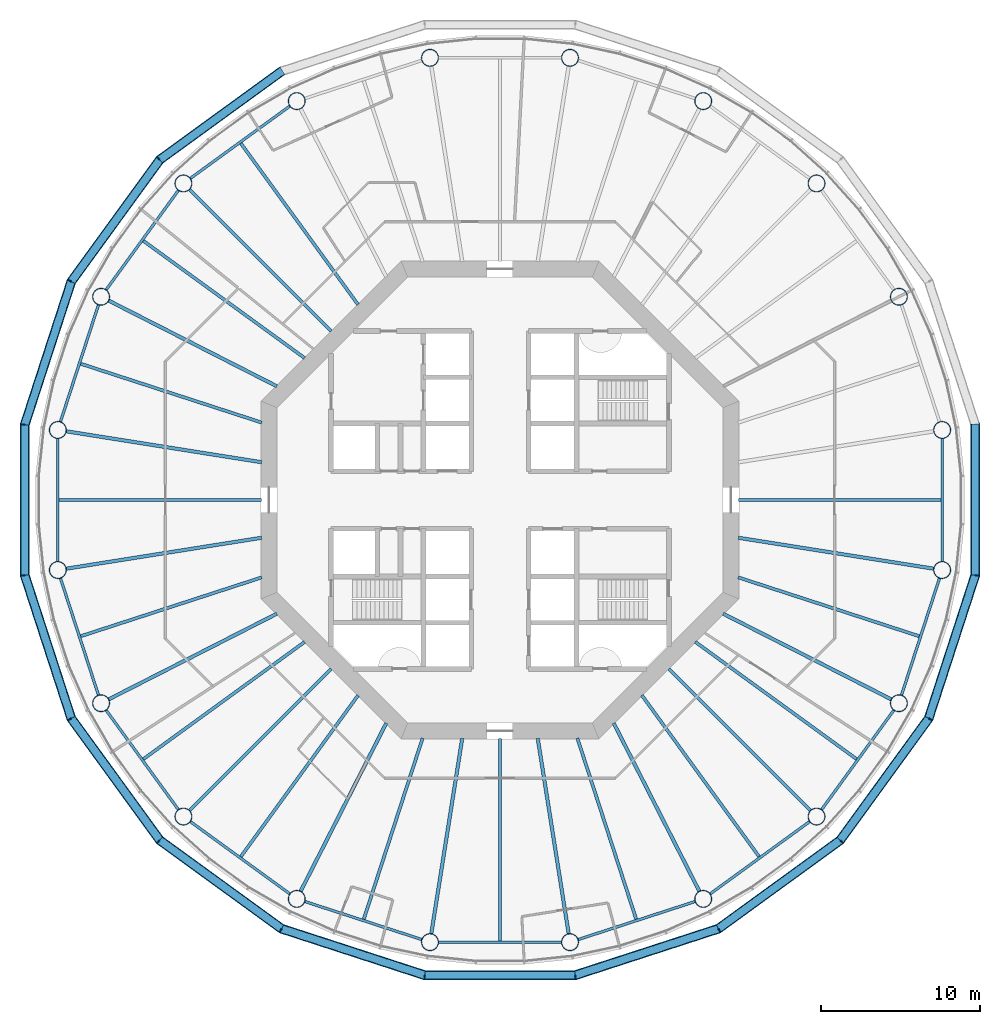
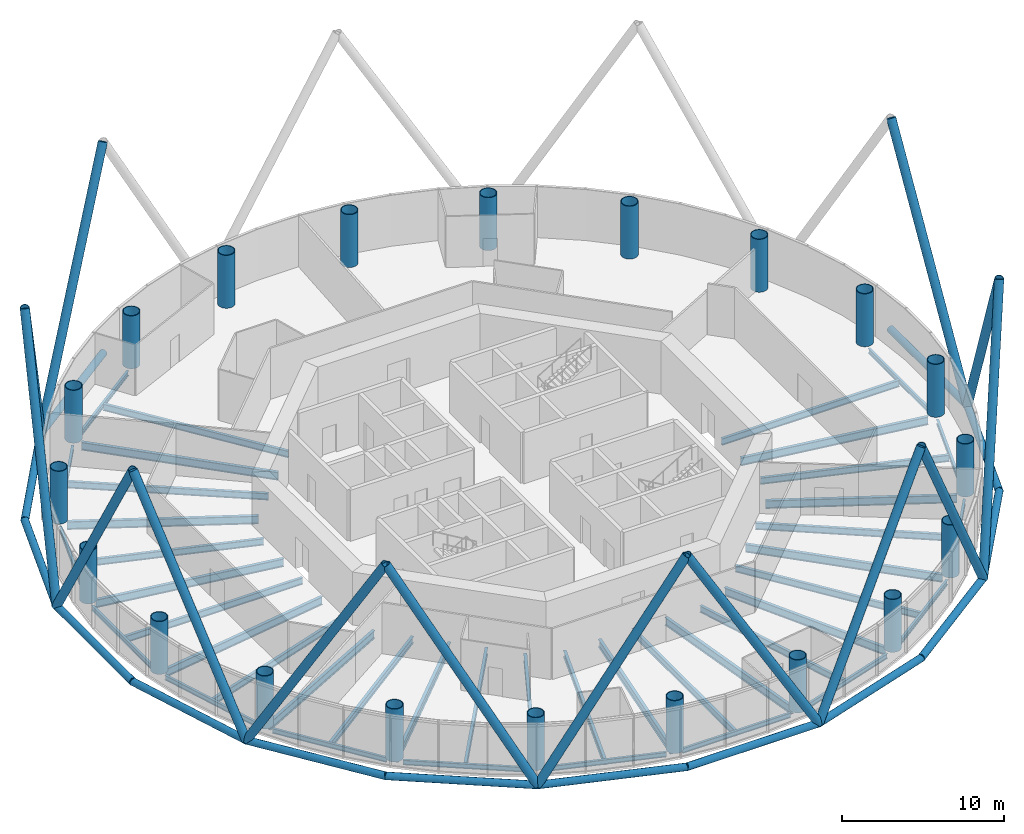
# One storey, part 1 of 13: 41 beams, 28 members, 20 columns.
"""IFC4 building model written with IfcOpenShell, lengths in metres."""

from ifc_helpers import new_model, si_unit, direction, frame, origin, origin_2d, place, context, subcontext, project, spatial, circle, hollow_circle, i_section, extrude, material, material_profile, profile_set, type_object, element, save


model = new_model("IFC4")

# Units and contexts
model_context = context("Model", 3, precision=1e-05, world=origin(), true_north=direction((0.0, 1.0)))
body_context = subcontext(model_context, "Body", "Model", "MODEL_VIEW")
ifc_project = project(units=[si_unit("LENGTHUNIT", "METRE"), si_unit("AREAUNIT", "SQUARE_METRE"), si_unit("VOLUMEUNIT", "CUBIC_METRE"), si_unit("PLANEANGLEUNIT", "RADIAN"), si_unit("MASSUNIT", "GRAM", prefix="KILO")], contexts=[model_context])

# Site, building, storey
site_placement = place(None, origin())
site = spatial("IfcSite", under=ifc_project, at=site_placement, CompositionType="ELEMENT")
building_placement = place(site_placement, origin())
building = spatial("IfcBuilding", under=site, at=building_placement, Name="Entoto Ring Tower", CompositionType="ELEMENT")
storey_placement = place(building_placement, frame((0.0, 0.0, 164.0)))
storey = spatial("IfcBuildingStorey", under=building, at=storey_placement, Name="L37", CompositionType="ELEMENT", Elevation=164.0)

# Columns
ifc_material_1 = material(Name="Steel S355", Category="steel")
ifc_material_profile_1 = material_profile(ifc_material_1, hollow_circle(Radius=0.550048828125, WallThickness=0.050048828125, at=origin_2d()), Name="CHS 1100 x 50")
ifc_material_2 = material(Name="Concrete C60/75", Category="concrete")
ifc_material_profile_2 = material_profile(ifc_material_2, circle(Radius=0.5, at=origin_2d()), Name="Concrete C60/75 infill")
ifc_profile_set_1 = profile_set([ifc_material_profile_1, ifc_material_profile_2], Name="Steel S355")
column_type = type_object("IfcColumnType", Name="Ring column 1100 x 50 concrete-filled tube", PredefinedType="COLUMN", material=ifc_profile_set_1)
for number, where, z_axis, x_axis, name in (
    (1, (117.754150390625, 84.395751953125, 0.0), (0.0, 0.0, 1.0), (1.0, 0.0, 0.0), "RC3 R01"),
    (2, (115.037353515625, 92.757080078125, 0.0), (0.0, 0.0, 1.0), (1.0, 0.0, 0.0), "RC3 R02"),
    (3, (109.86962890625, 99.86962890625, 0.0), (0.0, 0.0, 1.0), (1.0, 0.0, 0.0), "RC3 R03"),
    (4, (102.757080078125, 105.037353515625, 0.0), (0.0, 0.0, 1.0), (1.0, 0.0, 0.0), "RC3 R04"),
    (5, (94.395751953125, 107.754150390625, 0.0), (0.0, 0.0, 1.0), (1.0, 0.0, 0.0), "RC3 R05"),
    (6, (85.604248046875, 107.754150390625, 0.0), (0.0, 0.0, 1.0), (1.0, 0.0, 0.0), "RC3 R06"),
    (7, (77.242919921875, 105.037353515625, 0.0), (0.0, 0.0, 1.0), (1.0, 0.0, 0.0), "RC3 R07"),
    (8, (70.13037109375, 99.86962890625, 0.0), (0.0, 0.0, 1.0), (1.0, 0.0, 0.0), "RC3 R08"),
    (9, (64.962646484375, 92.757080078125, 0.0), (0.0, 0.0, 1.0), (1.0, 0.0, 0.0), "RC3 R09"),
    (10, (62.245849609375, 84.395751953125, 0.0), (0.0, 0.0, 1.0), (1.0, 0.0, 0.0), "RC3 R10"),
    (11, (62.245849609375, 75.604248046875, 0.0), (0.0, 0.0, 1.0), (1.0, 0.0, 0.0), "RC3 R11"),
    (12, (64.962646484375, 67.242919921875, 0.0), (0.0, 0.0, 1.0), (1.0, 0.0, 0.0), "RC3 R12"),
    (13, (70.13037109375, 60.13037109375, 0.0), (0.0, 0.0, 1.0), (1.0, 0.0, 0.0), "RC3 R13"),
    (14, (77.242919921875, 54.962646484375, 0.0), (0.0, 0.0, 1.0), (1.0, 0.0, 0.0), "RC3 R14"),
    (15, (85.604248046875, 52.245849609375, 0.0), (0.0, 0.0, 1.0), (1.0, 0.0, 0.0), "RC3 R15"),
    (16, (94.395751953125, 52.245849609375, 0.0), (0.0, 0.0, 1.0), (1.0, 0.0, 0.0), "RC3 R16"),
    (17, (102.757080078125, 54.962646484375, 0.0), (0.0, 0.0, 1.0), (1.0, 0.0, 0.0), "RC3 R17"),
    (18, (109.86962890625, 60.13037109375, 0.0), (0.0, 0.0, 1.0), (1.0, 0.0, 0.0), "RC3 R18"),
    (19, (115.037353515625, 67.242919921875, 0.0), (0.0, 0.0, 1.0), (1.0, 0.0, 0.0), "RC3 R19"),
    (20, (117.754150390625, 75.604248046875, 0.0), (0.0, 0.0, 1.0), (1.0, 0.0, 0.0), "RC3 R20"),
):
    element("IfcColumn", number, at=place(storey_placement, frame(where, z_axis=z_axis, x_axis=x_axis)), inside=storey, type_object=column_type, Name=name, PredefinedType="COLUMN", context=body_context, shape_type="SweptSolid", body=[
        extrude(hollow_circle(Radius=0.550048828125, WallThickness=0.050048828125, at=origin_2d()), origin(), (0.0, 0.0, 1.0), 4.0),
    ])

# Members
ifc_material_3 = material(Name="Steel S355", Category="steel")
ifc_material_profile_3 = material_profile(ifc_material_3, hollow_circle(Radius=0.300048828125, WallThickness=0.030029296875, at=origin_2d()), Name="CHS 600 x 30")
ifc_material_4 = material(Name="Concrete C60/75", Category="concrete")
ifc_material_profile_4 = material_profile(ifc_material_4, circle(Radius=0.27001953125, at=origin_2d()), Name="Concrete C60/75 infill")
ifc_profile_set_2 = profile_set([ifc_material_profile_3, ifc_material_profile_4], Name="Steel S355")
member_type_1 = type_object("IfcMemberType", Name="Diagrid diagonal 600 x 30 concrete-filled tube", PredefinedType="BRACE", material=ifc_profile_set_2)
for number, where, z_axis, x_axis, name in (
    (21, (68.645263671875, 101.354736328125, 0.0), (0.41138837397, 0.298880991698, 0.861063155967), (-0.587772178061, 0.809026493198, 0.0), "DG4 module 12 07"),
    (22, (68.645263671875, 101.354736328125, 0.0), (-0.298880991698, -0.41138837397, 0.861063155967), (0.809026493198, -0.587772178061, 0.0), "DG4 module 12 08"),
):
    element("IfcMember", number, at=place(storey_placement, frame(where, z_axis=z_axis, x_axis=x_axis)), inside=storey, type_object=member_type_1, Name=name, PredefinedType="BRACE", context=body_context, shape_type="SweptSolid", body=[
        extrude(hollow_circle(Radius=0.300048828125, WallThickness=0.030029296875, at=origin_2d()), origin(), (0.0, 0.0, 1.0), 18.581787109375),
    ])
member_1_placement = place(storey_placement, frame((60.171875, 84.724365234375, 0.0), z_axis=(0.157127731074, 0.483602341134, 0.861068900714), x_axis=(-0.951058940693, 0.309009532745, 0.0)))
element("IfcMember", 23, at=member_1_placement, inside=storey, type_object=member_type_1, Name="DG4 module 12 09", PredefinedType="BRACE", context=body_context, shape_type="SweptSolid", body=[
    extrude(hollow_circle(Radius=0.300048828125, WallThickness=0.030029296875, at=origin_2d()), origin(), (0.0, 0.0, 1.0), 18.58154296875),
])
member_2_placement = place(storey_placement, frame((60.171875, 84.724365234375, 0.0), z_axis=(0.0, -0.508497342761, 0.861063558865), x_axis=(1.0, 0.0, 0.0)))
element("IfcMember", 24, at=member_2_placement, inside=storey, type_object=member_type_1, Name="DG4 module 12 10", PredefinedType="BRACE", context=body_context, shape_type="SweptSolid", body=[
    extrude(hollow_circle(Radius=0.300048828125, WallThickness=0.030029296875, at=origin_2d()), origin(), (0.0, 0.0, 1.0), 18.581787109375),
])
member_3_placement = place(storey_placement, frame((63.091552734375, 66.28955078125, 0.0), z_axis=(-0.157127731074, 0.483602341134, 0.861068900714), x_axis=(-0.951058940693, -0.309009532745, 0.0)))
element("IfcMember", 25, at=member_3_placement, inside=storey, type_object=member_type_1, Name="DG4 module 12 11", PredefinedType="BRACE", context=body_context, shape_type="SweptSolid", body=[
    extrude(hollow_circle(Radius=0.300048828125, WallThickness=0.030029296875, at=origin_2d()), origin(), (0.0, 0.0, 1.0), 18.58154296875),
])
for number, where, z_axis, x_axis, name in (
    (26, (63.091552734375, 66.28955078125, 0.0), (0.298880991698, -0.41138837397, 0.861063155967), (0.809026493198, 0.587772178061, 0.0), "DG4 module 12 12"),
    (27, (76.28955078125, 53.091552734375, 0.0), (-0.41138837397, 0.298880991698, 0.861063155967), (-0.587772178061, -0.809026493198, 0.0), "DG4 module 12 13"),
):
    element("IfcMember", number, at=place(storey_placement, frame(where, z_axis=z_axis, x_axis=x_axis)), inside=storey, type_object=member_type_1, Name=name, PredefinedType="BRACE", context=body_context, shape_type="SweptSolid", body=[
        extrude(hollow_circle(Radius=0.300048828125, WallThickness=0.030029296875, at=origin_2d()), origin(), (0.0, 0.0, 1.0), 18.581787109375),
    ])
member_4_placement = place(storey_placement, frame((76.28955078125, 53.091552734375, 0.0), z_axis=(0.483602341134, -0.157127731074, 0.861068900714), x_axis=(0.309009532745, 0.951058940693, 0.0)))
element("IfcMember", 28, at=member_4_placement, inside=storey, type_object=member_type_1, Name="DG4 module 12 14", PredefinedType="BRACE", context=body_context, shape_type="SweptSolid", body=[
    extrude(hollow_circle(Radius=0.300048828125, WallThickness=0.030029296875, at=origin_2d()), origin(), (0.0, 0.0, 1.0), 18.58154296875),
])
member_5_placement = place(storey_placement, frame((94.724365234375, 50.171875, 0.0), z_axis=(-0.508497342761, 0.0, 0.861063558865), x_axis=(0.0, -1.0, 0.0)))
element("IfcMember", 29, at=member_5_placement, inside=storey, type_object=member_type_1, Name="DG4 module 12 15", PredefinedType="BRACE", context=body_context, shape_type="SweptSolid", body=[
    extrude(hollow_circle(Radius=0.300048828125, WallThickness=0.030029296875, at=origin_2d()), origin(), (0.0, 0.0, 1.0), 18.581787109375),
])
member_6_placement = place(storey_placement, frame((94.724365234375, 50.171875, 0.0), z_axis=(0.483602341134, 0.157127731074, 0.861068900714), x_axis=(-0.309009532745, 0.951058940693, 0.0)))
element("IfcMember", 30, at=member_6_placement, inside=storey, type_object=member_type_1, Name="DG4 module 12 16", PredefinedType="BRACE", context=body_context, shape_type="SweptSolid", body=[
    extrude(hollow_circle(Radius=0.300048828125, WallThickness=0.030029296875, at=origin_2d()), origin(), (0.0, 0.0, 1.0), 18.58154296875),
])
for number, where, z_axis, x_axis, name in (
    (31, (111.354736328125, 58.645263671875, 0.0), (-0.41138837397, -0.298880991698, 0.861063155967), (0.587772178061, -0.809026493198, 0.0), "DG4 module 12 17"),
    (32, (111.354736328125, 58.645263671875, 0.0), (0.298880991698, 0.41138837397, 0.861063155967), (-0.809026493198, 0.587772178061, 0.0), "DG4 module 12 18"),
):
    element("IfcMember", number, at=place(storey_placement, frame(where, z_axis=z_axis, x_axis=x_axis)), inside=storey, type_object=member_type_1, Name=name, PredefinedType="BRACE", context=body_context, shape_type="SweptSolid", body=[
        extrude(hollow_circle(Radius=0.300048828125, WallThickness=0.030029296875, at=origin_2d()), origin(), (0.0, 0.0, 1.0), 18.581787109375),
    ])
member_7_placement = place(storey_placement, frame((119.828125, 75.275634765625, 0.0), z_axis=(-0.157127731074, -0.483602341134, 0.861068900714), x_axis=(0.951058940693, -0.309009532745, 0.0)))
element("IfcMember", 33, at=member_7_placement, inside=storey, type_object=member_type_1, Name="DG4 module 12 19", PredefinedType="BRACE", context=body_context, shape_type="SweptSolid", body=[
    extrude(hollow_circle(Radius=0.300048828125, WallThickness=0.030029296875, at=origin_2d()), origin(), (0.0, 0.0, 1.0), 18.58154296875),
])
member_8_placement = place(storey_placement, frame((119.828125, 75.275634765625, 0.0), z_axis=(0.0, 0.508497342761, 0.861063558865), x_axis=(-1.0, 0.0, 0.0)))
element("IfcMember", 34, at=member_8_placement, inside=storey, type_object=member_type_1, Name="DG4 module 12 20", PredefinedType="BRACE", context=body_context, shape_type="SweptSolid", body=[
    extrude(hollow_circle(Radius=0.300048828125, WallThickness=0.030029296875, at=origin_2d()), origin(), (0.0, 0.0, 1.0), 18.581787109375),
])
ifc_material_5 = material(Name="Steel S355", Category="steel")
ifc_material_profile_5 = material_profile(ifc_material_5, hollow_circle(Radius=0.25390625, WallThickness=0.030029296875, at=origin_2d()), Name="CHS 508 x 30")
ifc_material_6 = material(Name="Concrete C60/75", Category="concrete")
ifc_material_profile_6 = material_profile(ifc_material_6, circle(Radius=0.22412109375, at=origin_2d()), Name="Concrete C60/75 infill")
ifc_profile_set_3 = profile_set([ifc_material_profile_5, ifc_material_profile_6], Name="Steel S355")
member_type_2 = type_object("IfcMemberType", Name="Diagrid ring beam 508 x 30", PredefinedType="CHORD", material=ifc_profile_set_3)
for number, where, z_axis, x_axis, name in (
    (35, (76.338134765625, 106.94384765625, 0.0), (-0.809016230274, -0.587786303985, 0.0), (0.587786303985, -0.809016230274, 0.0), "DR2 ring 11 06"),
    (36, (68.6806640625, 101.4033203125, 0.0), (-0.587786303985, -0.809016230274, 0.0), (0.809016230274, -0.587786303985, 0.0), "DR2 ring 11 07"),
    (37, (63.110107421875, 93.767822265625, 0.0), (-0.308993189852, -0.951064250524, 0.0), (0.951064250524, -0.308993189852, 0.0), "DR2 ring 11 08"),
):
    element("IfcMember", number, at=place(storey_placement, frame(where, z_axis=z_axis, x_axis=x_axis)), inside=storey, type_object=member_type_2, Name=name, PredefinedType="CHORD", context=body_context, shape_type="SweptSolid", body=[
        extrude(hollow_circle(Radius=0.25390625, WallThickness=0.030029296875, at=origin_2d()), origin(), (0.0, 0.0, 1.0), 9.569091796875),
    ])
member_9_placement = place(storey_placement, frame((60.171875, 84.78466796875, 0.0), z_axis=(0.0, -1.0, 0.0), x_axis=(1.0, 0.0, 0.0)))
element("IfcMember", 38, at=member_9_placement, inside=storey, type_object=member_type_2, Name="DR2 ring 11 09", PredefinedType="CHORD", context=body_context, shape_type="SweptSolid", body=[
    extrude(hollow_circle(Radius=0.25390625, WallThickness=0.030029296875, at=origin_2d()), origin(), (0.0, 0.0, 1.0), 9.5693359375),
])
for number, where, z_axis, x_axis, name in (
    (39, (60.1533203125, 75.3330078125, 0.0), (0.308993189852, -0.951064250524, 0.0), (0.951064250524, 0.308993189852, 0.0), "DR2 ring 11 10"),
    (40, (63.05615234375, 66.338134765625, 0.0), (0.587786303985, -0.809016230274, 0.0), (0.809016230274, 0.587786303985, 0.0), "DR2 ring 11 11"),
    (41, (68.5966796875, 58.6806640625, 0.0), (0.809016230274, -0.587786303985, 0.0), (0.587786303985, 0.809016230274, 0.0), "DR2 ring 11 12"),
    (42, (76.232177734375, 53.110107421875, 0.0), (0.951064250524, -0.308993189852, 0.0), (0.308993189852, 0.951064250524, 0.0), "DR2 ring 11 13"),
):
    element("IfcMember", number, at=place(storey_placement, frame(where, z_axis=z_axis, x_axis=x_axis)), inside=storey, type_object=member_type_2, Name=name, PredefinedType="CHORD", context=body_context, shape_type="SweptSolid", body=[
        extrude(hollow_circle(Radius=0.25390625, WallThickness=0.030029296875, at=origin_2d()), origin(), (0.0, 0.0, 1.0), 9.569091796875),
    ])
member_10_placement = place(storey_placement, frame((85.21533203125, 50.171875, 0.0), z_axis=(1.0, 0.0, 0.0), x_axis=(0.0, 1.0, 0.0)))
element("IfcMember", 43, at=member_10_placement, inside=storey, type_object=member_type_2, Name="DR2 ring 11 14", PredefinedType="CHORD", context=body_context, shape_type="SweptSolid", body=[
    extrude(hollow_circle(Radius=0.25390625, WallThickness=0.030029296875, at=origin_2d()), origin(), (0.0, 0.0, 1.0), 9.5693359375),
])
for number, where, z_axis, x_axis, name in (
    (44, (94.6669921875, 50.1533203125, 0.0), (0.951064250524, 0.308993189852, 0.0), (-0.308993189852, 0.951064250524, 0.0), "DR2 ring 11 15"),
    (45, (103.661865234375, 53.05615234375, 0.0), (0.809016230274, 0.587786303985, 0.0), (-0.587786303985, 0.809016230274, 0.0), "DR2 ring 11 16"),
    (46, (111.3193359375, 58.5966796875, 0.0), (0.587786303985, 0.809016230274, 0.0), (-0.809016230274, 0.587786303985, 0.0), "DR2 ring 11 17"),
    (47, (116.889892578125, 66.232177734375, 0.0), (0.308993189852, 0.951064250524, 0.0), (-0.951064250524, 0.308993189852, 0.0), "DR2 ring 11 18"),
):
    element("IfcMember", number, at=place(storey_placement, frame(where, z_axis=z_axis, x_axis=x_axis)), inside=storey, type_object=member_type_2, Name=name, PredefinedType="CHORD", context=body_context, shape_type="SweptSolid", body=[
        extrude(hollow_circle(Radius=0.25390625, WallThickness=0.030029296875, at=origin_2d()), origin(), (0.0, 0.0, 1.0), 9.569091796875),
    ])
member_11_placement = place(storey_placement, frame((119.828125, 75.21533203125, 0.0), z_axis=(0.0, 1.0, 0.0), x_axis=(-1.0, 0.0, 0.0)))
element("IfcMember", 48, at=member_11_placement, inside=storey, type_object=member_type_2, Name="DR2 ring 11 19", PredefinedType="CHORD", context=body_context, shape_type="SweptSolid", body=[
    extrude(hollow_circle(Radius=0.25390625, WallThickness=0.030029296875, at=origin_2d()), origin(), (0.0, 0.0, 1.0), 9.5693359375),
])

# Beams
ifc_material_7 = material(Name="Steel S355", Category="steel")
ifc_material_profile_7 = material_profile(ifc_material_7, i_section(OverallWidth=0.169921875, OverallDepth=0.360107421875, WebThickness=0.008056640625, FlangeThickness=0.0126953125, FilletRadius=0.01806640625, at=origin_2d()), Name="IPE 360")
ifc_profile_set_4 = profile_set([ifc_material_profile_7], Name="Steel S355")
beam_type_1 = type_object("IfcBeamType", Name="Edge beam IPE 360", PredefinedType="SPANDREL", material=ifc_profile_set_4)
for number, where, z_axis, x_axis, name in (
    (49, (76.819580078125, 104.729736328125, -0.330078125), (-0.809012707043, -0.587791153253, 0.0), (0.587791153253, -0.809012707043, 0.0), "Edge beam L37 07"),
    (50, (69.82275390625, 99.4462890625, -0.330078125), (-0.587791153253, -0.809012707043, 0.0), (0.809012707043, -0.587791153253, 0.0), "Edge beam L37 08"),
    (51, (64.801025390625, 92.259521484375, -0.330078125), (-0.309012656105, -0.951057925874, 0.0), (0.951057925874, -0.309012656105, 0.0), "Edge beam L37 09"),
    (52, (62.245849609375, 83.87255859375, -0.330078125), (0.0, -1.0, 0.0), (1.0, 0.0, 0.0), "Edge beam L37 10"),
    (53, (62.40771484375, 75.1064453125, -0.330078125), (0.309012656105, -0.951057925874, 0.0), (0.951057925874, 0.309012656105, 0.0), "Edge beam L37 11"),
    (54, (65.270263671875, 66.819580078125, -0.330078125), (0.587791153253, -0.809012707043, 0.0), (0.809012707043, 0.587791153253, 0.0), "Edge beam L37 12"),
    (55, (70.5537109375, 59.82275390625, -0.330078125), (0.809012707043, -0.587791153253, 0.0), (0.587791153253, 0.809012707043, 0.0), "Edge beam L37 13"),
    (56, (77.740478515625, 54.801025390625, -0.330078125), (0.951057925874, -0.309012656105, 0.0), (0.309012656105, 0.951057925874, 0.0), "Edge beam L37 14"),
    (57, (86.12744140625, 52.245849609375, -0.330078125), (1.0, 0.0, 0.0), (0.0, 1.0, 0.0), "Edge beam L37 15"),
    (58, (94.8935546875, 52.40771484375, -0.330078125), (0.951057925874, 0.309012656105, 0.0), (-0.309012656105, 0.951057925874, 0.0), "Edge beam L37 16"),
    (59, (103.180419921875, 55.270263671875, -0.330078125), (0.809012707043, 0.587791153253, 0.0), (-0.587791153253, 0.809012707043, 0.0), "Edge beam L37 17"),
    (60, (110.17724609375, 60.5537109375, -0.330078125), (0.587791153253, 0.809012707043, 0.0), (-0.809012707043, 0.587791153253, 0.0), "Edge beam L37 18"),
    (61, (115.198974609375, 67.740478515625, -0.330078125), (0.309012656105, 0.951057925874, 0.0), (-0.951057925874, 0.309012656105, 0.0), "Edge beam L37 19"),
    (62, (117.754150390625, 76.12744140625, -0.330078125), (0.0, 1.0, 0.0), (-1.0, 0.0, 0.0), "Edge beam L37 20"),
):
    element("IfcBeam", number, at=place(storey_placement, frame(where, z_axis=z_axis, x_axis=x_axis)), inside=storey, type_object=beam_type_1, Name=name, PredefinedType="SPANDREL", context=body_context, shape_type="SweptSolid", body=[
        extrude(i_section(OverallWidth=0.169921875, OverallDepth=0.360107421875, WebThickness=0.008056640625, FlangeThickness=0.0126953125, FilletRadius=0.01806640625, at=origin_2d()), origin(), (0.0, 0.0, 1.0), 7.7451171875),
    ])
ifc_material_8 = material(Name="Steel S355", Category="steel")
ifc_material_profile_8 = material_profile(ifc_material_8, i_section(OverallWidth=0.219970703125, OverallDepth=0.60009765625, WebThickness=0.011962890625, FlangeThickness=0.01904296875, FilletRadius=0.02392578125, at=origin_2d()), Name="IPE 600")
ifc_profile_set_5 = profile_set([ifc_material_profile_8], Name="Steel S355")
beam_type_2 = type_object("IfcBeamType", Name="Primary floor beam IPE 600", PredefinedType="BEAM", material=ifc_profile_set_5)
beam_1_placement = place(storey_placement, frame((79.407470703125, 90.592529296875, -0.449951171875), z_axis=(-0.707106781187, 0.707106781187, 0.0), x_axis=(-0.707106781187, -0.707106781187, 0.0)))
element("IfcBeam", 63, at=beam_1_placement, inside=storey, type_object=beam_type_2, Name="Primary L37 R08", PredefinedType="BEAM", context=body_context, shape_type="SweptSolid", body=[
    extrude(i_section(OverallWidth=0.219970703125, OverallDepth=0.60009765625, WebThickness=0.011962890625, FlangeThickness=0.01904296875, FilletRadius=0.02392578125, at=origin_2d()), origin(), (0.0, 0.0, 1.0), 12.601318359375),
])
beam_2_placement = place(storey_placement, frame((75.996826171875, 87.135009765625, -0.449951171875), z_axis=(-0.891010444609, 0.453982805399, 0.0), x_axis=(-0.453982805399, -0.891010444609, 0.0)))
element("IfcBeam", 64, at=beam_2_placement, inside=storey, type_object=beam_type_2, Name="Primary L37 R09", PredefinedType="BEAM", context=body_context, shape_type="SweptSolid", body=[
    extrude(i_section(OverallWidth=0.219970703125, OverallDepth=0.60009765625, WebThickness=0.011962890625, FlangeThickness=0.01904296875, FilletRadius=0.02392578125, at=origin_2d()), origin(), (0.0, 0.0, 1.0), 11.864990234375),
])
for number, where, z_axis, x_axis, name in (
    (65, (75.036865234375, 82.369873046875, -0.449951171875), (-0.987687213789, 0.156441579247, 0.0), (-0.156441579247, -0.987687213789, 0.0), "Primary L37 R10"),
    (66, (75.036865234375, 77.630126953125, -0.449951171875), (-0.987687213789, -0.156441579247, 0.0), (0.156441579247, -0.987687213789, 0.0), "Primary L37 R11"),
):
    element("IfcBeam", number, at=place(storey_placement, frame(where, z_axis=z_axis, x_axis=x_axis)), inside=storey, type_object=beam_type_2, Name=name, PredefinedType="BEAM", context=body_context, shape_type="SweptSolid", body=[
        extrude(i_section(OverallWidth=0.219970703125, OverallDepth=0.60009765625, WebThickness=0.011962890625, FlangeThickness=0.01904296875, FilletRadius=0.02392578125, at=origin_2d()), origin(), (0.0, 0.0, 1.0), 12.431640625),
    ])
beam_3_placement = place(storey_placement, frame((75.996826171875, 72.864990234375, -0.449951171875), z_axis=(-0.891010444609, -0.453982805399, 0.0), x_axis=(0.453982805399, -0.891010444609, 0.0)))
element("IfcBeam", 67, at=beam_3_placement, inside=storey, type_object=beam_type_2, Name="Primary L37 R12", PredefinedType="BEAM", context=body_context, shape_type="SweptSolid", body=[
    extrude(i_section(OverallWidth=0.219970703125, OverallDepth=0.60009765625, WebThickness=0.011962890625, FlangeThickness=0.01904296875, FilletRadius=0.02392578125, at=origin_2d()), origin(), (0.0, 0.0, 1.0), 11.864990234375),
])
beam_4_placement = place(storey_placement, frame((79.407470703125, 69.407470703125, -0.449951171875), z_axis=(-0.707106781187, -0.707106781187, 0.0), x_axis=(0.707106781187, -0.707106781187, 0.0)))
element("IfcBeam", 68, at=beam_4_placement, inside=storey, type_object=beam_type_2, Name="Primary L37 R13", PredefinedType="BEAM", context=body_context, shape_type="SweptSolid", body=[
    extrude(i_section(OverallWidth=0.219970703125, OverallDepth=0.60009765625, WebThickness=0.011962890625, FlangeThickness=0.01904296875, FilletRadius=0.02392578125, at=origin_2d()), origin(), (0.0, 0.0, 1.0), 12.601318359375),
])
beam_5_placement = place(storey_placement, frame((82.864990234375, 65.996826171875, -0.449951171875), z_axis=(-0.453982805399, -0.891010444609, 0.0), x_axis=(0.891010444609, -0.453982805399, 0.0)))
element("IfcBeam", 69, at=beam_5_placement, inside=storey, type_object=beam_type_2, Name="Primary L37 R14", PredefinedType="BEAM", context=body_context, shape_type="SweptSolid", body=[
    extrude(i_section(OverallWidth=0.219970703125, OverallDepth=0.60009765625, WebThickness=0.011962890625, FlangeThickness=0.01904296875, FilletRadius=0.02392578125, at=origin_2d()), origin(), (0.0, 0.0, 1.0), 11.864990234375),
])
for number, where, z_axis, x_axis, name in (
    (70, (87.630126953125, 65.036865234375, -0.449951171875), (-0.156441579247, -0.987687213789, 0.0), (0.987687213789, -0.156441579247, 0.0), "Primary L37 R15"),
    (71, (92.369873046875, 65.036865234375, -0.449951171875), (0.156441579247, -0.987687213789, 0.0), (0.987687213789, 0.156441579247, 0.0), "Primary L37 R16"),
):
    element("IfcBeam", number, at=place(storey_placement, frame(where, z_axis=z_axis, x_axis=x_axis)), inside=storey, type_object=beam_type_2, Name=name, PredefinedType="BEAM", context=body_context, shape_type="SweptSolid", body=[
        extrude(i_section(OverallWidth=0.219970703125, OverallDepth=0.60009765625, WebThickness=0.011962890625, FlangeThickness=0.01904296875, FilletRadius=0.02392578125, at=origin_2d()), origin(), (0.0, 0.0, 1.0), 12.431640625),
    ])
beam_6_placement = place(storey_placement, frame((97.135009765625, 65.996826171875, -0.449951171875), z_axis=(0.453982805399, -0.891010444609, 0.0), x_axis=(0.891010444609, 0.453982805399, 0.0)))
element("IfcBeam", 72, at=beam_6_placement, inside=storey, type_object=beam_type_2, Name="Primary L37 R17", PredefinedType="BEAM", context=body_context, shape_type="SweptSolid", body=[
    extrude(i_section(OverallWidth=0.219970703125, OverallDepth=0.60009765625, WebThickness=0.011962890625, FlangeThickness=0.01904296875, FilletRadius=0.02392578125, at=origin_2d()), origin(), (0.0, 0.0, 1.0), 11.864990234375),
])
beam_7_placement = place(storey_placement, frame((100.592529296875, 69.407470703125, -0.449951171875), z_axis=(0.707106781187, -0.707106781187, 0.0), x_axis=(0.707106781187, 0.707106781187, 0.0)))
element("IfcBeam", 73, at=beam_7_placement, inside=storey, type_object=beam_type_2, Name="Primary L37 R18", PredefinedType="BEAM", context=body_context, shape_type="SweptSolid", body=[
    extrude(i_section(OverallWidth=0.219970703125, OverallDepth=0.60009765625, WebThickness=0.011962890625, FlangeThickness=0.01904296875, FilletRadius=0.02392578125, at=origin_2d()), origin(), (0.0, 0.0, 1.0), 12.601318359375),
])
beam_8_placement = place(storey_placement, frame((104.003173828125, 72.864990234375, -0.449951171875), z_axis=(0.891010444609, -0.453982805399, 0.0), x_axis=(0.453982805399, 0.891010444609, 0.0)))
element("IfcBeam", 74, at=beam_8_placement, inside=storey, type_object=beam_type_2, Name="Primary L37 R19", PredefinedType="BEAM", context=body_context, shape_type="SweptSolid", body=[
    extrude(i_section(OverallWidth=0.219970703125, OverallDepth=0.60009765625, WebThickness=0.011962890625, FlangeThickness=0.01904296875, FilletRadius=0.02392578125, at=origin_2d()), origin(), (0.0, 0.0, 1.0), 11.864990234375),
])
beam_9_placement = place(storey_placement, frame((104.963134765625, 77.630126953125, -0.449951171875), z_axis=(0.987687213789, -0.156441579247, 0.0), x_axis=(0.156441579247, 0.987687213789, 0.0)))
element("IfcBeam", 75, at=beam_9_placement, inside=storey, type_object=beam_type_2, Name="Primary L37 R20", PredefinedType="BEAM", context=body_context, shape_type="SweptSolid", body=[
    extrude(i_section(OverallWidth=0.219970703125, OverallDepth=0.60009765625, WebThickness=0.011962890625, FlangeThickness=0.01904296875, FilletRadius=0.02392578125, at=origin_2d()), origin(), (0.0, 0.0, 1.0), 12.431640625),
])
ifc_material_9 = material(Name="Steel S355", Category="steel")
ifc_material_profile_9 = material_profile(ifc_material_9, i_section(OverallWidth=0.199951171875, OverallDepth=0.5, WebThickness=0.01025390625, FlangeThickness=0.01611328125, FilletRadius=0.02099609375, at=origin_2d()), Name="IPE 500")
ifc_profile_set_6 = profile_set([ifc_material_profile_9], Name="Steel S355")
beam_type_3 = type_object("IfcBeamType", Name="Secondary floor beam IPE 500", PredefinedType="JOIST", material=ifc_profile_set_6)
for number, where, z_axis, x_axis, name in (
    (76, (81.094482421875, 92.257568359375, -0.39990234375), (-0.587788946436, 0.80901431041, 0.0), (-0.80901431041, -0.587788946436, 0.0), "Secondary beam L37 07"),
    (77, (77.742431640625, 88.905517578125, -0.39990234375), (-0.80901431041, 0.587788946436, 0.0), (-0.587788946436, -0.80901431041, 0.0), "Secondary beam L37 08"),
):
    element("IfcBeam", number, at=place(storey_placement, frame(where, z_axis=z_axis, x_axis=x_axis)), inside=storey, type_object=beam_type_3, Name=name, PredefinedType="JOIST", context=body_context, shape_type="SweptSolid", body=[
        extrude(i_section(OverallWidth=0.199951171875, OverallDepth=0.5, WebThickness=0.01025390625, FlangeThickness=0.01611328125, FilletRadius=0.02099609375, at=origin_2d()), origin(), (0.0, 0.0, 1.0), 12.51806640625),
    ])
beam_10_placement = place(storey_placement, frame((75.0498046875, 84.857666015625, -0.39990234375), z_axis=(-0.951056587506, 0.30901677521, 0.0), x_axis=(-0.30901677521, -0.951056587506, 0.0)))
element("IfcBeam", 78, at=beam_10_placement, inside=storey, type_object=beam_type_3, Name="Secondary beam L37 09", PredefinedType="JOIST", context=body_context, shape_type="SweptSolid", body=[
    extrude(i_section(OverallWidth=0.199951171875, OverallDepth=0.5, WebThickness=0.01025390625, FlangeThickness=0.01611328125, FilletRadius=0.02099609375, at=origin_2d()), origin(), (0.0, 0.0, 1.0), 11.94970703125),
])
beam_11_placement = place(storey_placement, frame((75.02001953125, 80.0, -0.39990234375), z_axis=(-1.0, 0.0, 0.0), x_axis=(0.0, -1.0, 0.0)))
element("IfcBeam", 79, at=beam_11_placement, inside=storey, type_object=beam_type_3, Name="Secondary beam L37 10", PredefinedType="JOIST", context=body_context, shape_type="SweptSolid", body=[
    extrude(i_section(OverallWidth=0.199951171875, OverallDepth=0.5, WebThickness=0.01025390625, FlangeThickness=0.01611328125, FilletRadius=0.02099609375, at=origin_2d()), origin(), (0.0, 0.0, 1.0), 12.68896484375),
])
beam_12_placement = place(storey_placement, frame((75.0498046875, 75.142333984375, -0.39990234375), z_axis=(-0.951056587506, -0.30901677521, 0.0), x_axis=(0.30901677521, -0.951056587506, 0.0)))
element("IfcBeam", 80, at=beam_12_placement, inside=storey, type_object=beam_type_3, Name="Secondary beam L37 11", PredefinedType="JOIST", context=body_context, shape_type="SweptSolid", body=[
    extrude(i_section(OverallWidth=0.199951171875, OverallDepth=0.5, WebThickness=0.01025390625, FlangeThickness=0.01611328125, FilletRadius=0.02099609375, at=origin_2d()), origin(), (0.0, 0.0, 1.0), 11.94970703125),
])
for number, where, z_axis, x_axis, name in (
    (81, (77.742431640625, 71.094482421875, -0.39990234375), (-0.80901431041, -0.587788946436, 0.0), (0.587788946436, -0.80901431041, 0.0), "Secondary beam L37 12"),
    (82, (81.094482421875, 67.742431640625, -0.39990234375), (-0.587788946436, -0.80901431041, 0.0), (0.80901431041, -0.587788946436, 0.0), "Secondary beam L37 13"),
):
    element("IfcBeam", number, at=place(storey_placement, frame(where, z_axis=z_axis, x_axis=x_axis)), inside=storey, type_object=beam_type_3, Name=name, PredefinedType="JOIST", context=body_context, shape_type="SweptSolid", body=[
        extrude(i_section(OverallWidth=0.199951171875, OverallDepth=0.5, WebThickness=0.01025390625, FlangeThickness=0.01611328125, FilletRadius=0.02099609375, at=origin_2d()), origin(), (0.0, 0.0, 1.0), 12.51806640625),
    ])
beam_13_placement = place(storey_placement, frame((85.142333984375, 65.0498046875, -0.39990234375), z_axis=(-0.30901677521, -0.951056587506, 0.0), x_axis=(0.951056587506, -0.30901677521, 0.0)))
element("IfcBeam", 83, at=beam_13_placement, inside=storey, type_object=beam_type_3, Name="Secondary beam L37 14", PredefinedType="JOIST", context=body_context, shape_type="SweptSolid", body=[
    extrude(i_section(OverallWidth=0.199951171875, OverallDepth=0.5, WebThickness=0.01025390625, FlangeThickness=0.01611328125, FilletRadius=0.02099609375, at=origin_2d()), origin(), (0.0, 0.0, 1.0), 11.94970703125),
])
beam_14_placement = place(storey_placement, frame((90.0, 65.02001953125, -0.39990234375), z_axis=(0.0, -1.0, 0.0), x_axis=(1.0, 0.0, 0.0)))
element("IfcBeam", 84, at=beam_14_placement, inside=storey, type_object=beam_type_3, Name="Secondary beam L37 15", PredefinedType="JOIST", context=body_context, shape_type="SweptSolid", body=[
    extrude(i_section(OverallWidth=0.199951171875, OverallDepth=0.5, WebThickness=0.01025390625, FlangeThickness=0.01611328125, FilletRadius=0.02099609375, at=origin_2d()), origin(), (0.0, 0.0, 1.0), 12.68896484375),
])
beam_15_placement = place(storey_placement, frame((94.857666015625, 65.0498046875, -0.39990234375), z_axis=(0.30901677521, -0.951056587506, 0.0), x_axis=(0.951056587506, 0.30901677521, 0.0)))
element("IfcBeam", 85, at=beam_15_placement, inside=storey, type_object=beam_type_3, Name="Secondary beam L37 16", PredefinedType="JOIST", context=body_context, shape_type="SweptSolid", body=[
    extrude(i_section(OverallWidth=0.199951171875, OverallDepth=0.5, WebThickness=0.01025390625, FlangeThickness=0.01611328125, FilletRadius=0.02099609375, at=origin_2d()), origin(), (0.0, 0.0, 1.0), 11.94970703125),
])
for number, where, z_axis, x_axis, name in (
    (86, (98.905517578125, 67.742431640625, -0.39990234375), (0.587788946436, -0.80901431041, 0.0), (0.80901431041, 0.587788946436, 0.0), "Secondary beam L37 17"),
    (87, (102.257568359375, 71.094482421875, -0.39990234375), (0.80901431041, -0.587788946436, 0.0), (0.587788946436, 0.80901431041, 0.0), "Secondary beam L37 18"),
):
    element("IfcBeam", number, at=place(storey_placement, frame(where, z_axis=z_axis, x_axis=x_axis)), inside=storey, type_object=beam_type_3, Name=name, PredefinedType="JOIST", context=body_context, shape_type="SweptSolid", body=[
        extrude(i_section(OverallWidth=0.199951171875, OverallDepth=0.5, WebThickness=0.01025390625, FlangeThickness=0.01611328125, FilletRadius=0.02099609375, at=origin_2d()), origin(), (0.0, 0.0, 1.0), 12.51806640625),
    ])
beam_16_placement = place(storey_placement, frame((104.9501953125, 75.142333984375, -0.39990234375), z_axis=(0.951056587506, -0.30901677521, 0.0), x_axis=(0.30901677521, 0.951056587506, 0.0)))
element("IfcBeam", 88, at=beam_16_placement, inside=storey, type_object=beam_type_3, Name="Secondary beam L37 19", PredefinedType="JOIST", context=body_context, shape_type="SweptSolid", body=[
    extrude(i_section(OverallWidth=0.199951171875, OverallDepth=0.5, WebThickness=0.01025390625, FlangeThickness=0.01611328125, FilletRadius=0.02099609375, at=origin_2d()), origin(), (0.0, 0.0, 1.0), 11.94970703125),
])
beam_17_placement = place(storey_placement, frame((104.97998046875, 80.0, -0.39990234375), z_axis=(1.0, 0.0, 0.0), x_axis=(0.0, 1.0, 0.0)))
element("IfcBeam", 89, at=beam_17_placement, inside=storey, type_object=beam_type_3, Name="Secondary beam L37 20", PredefinedType="JOIST", context=body_context, shape_type="SweptSolid", body=[
    extrude(i_section(OverallWidth=0.199951171875, OverallDepth=0.5, WebThickness=0.01025390625, FlangeThickness=0.01611328125, FilletRadius=0.02099609375, at=origin_2d()), origin(), (0.0, 0.0, 1.0), 12.68896484375),
])

save(model, "model.ifc")
